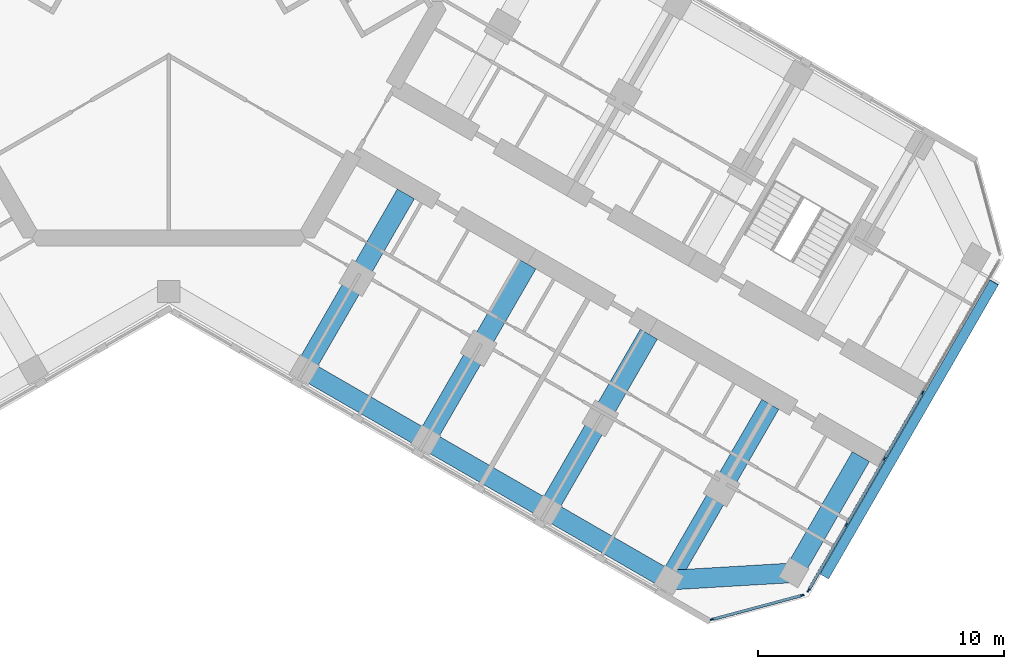
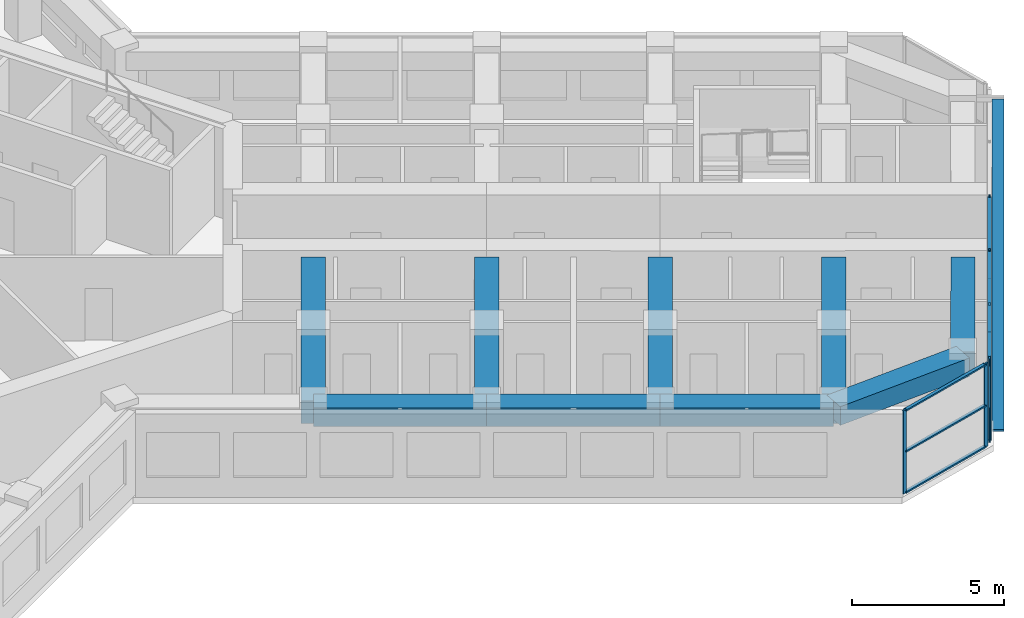
# One storey, part 4 of 16: 16 members, 9 beams, 2 elements without a shape of their own.
"""IFC4 building model written with IfcOpenShell, lengths in metres."""

from ifc_helpers import new_model, si_unit, direction, frame, origin, origin_2d, place, context, subcontext, project, spatial, rectangle, extrude, material, material_profile, profile_set, type_object, element, aggregate, save


model = new_model("IFC4")

# Units and contexts
model_context = context("Model", 3, precision=1e-05, world=origin(), true_north=direction((0.0, 1.0)))
body_context = subcontext(model_context, "Body", "Model", "MODEL_VIEW")
ifc_project = project(units=[si_unit("LENGTHUNIT", "METRE"), si_unit("AREAUNIT", "SQUARE_METRE"), si_unit("VOLUMEUNIT", "CUBIC_METRE"), si_unit("PLANEANGLEUNIT", "RADIAN"), si_unit("MASSUNIT", "GRAM", prefix="KILO")], contexts=[model_context])

# Site, building, storey
site_placement = place(None, origin())
site = spatial("IfcSite", under=ifc_project, at=site_placement, CompositionType="ELEMENT")
building_placement = place(site_placement, origin())
building = spatial("IfcBuilding", under=site, at=building_placement, Name="Kosmar Iwan School Tower", CompositionType="ELEMENT")
storey_placement = place(building_placement, frame((0.0, 0.0, 208.199951171875)))
storey = spatial("IfcBuildingStorey", under=building, at=storey_placement, Name="L52", CompositionType="ELEMENT", Elevation=208.199951171875)

# Member
ifc_material_1 = material(Name="Black anodised aluminium", Category="aluminium")
ifc_material_profile_1 = material_profile(ifc_material_1, rectangle(XDim=0.10009765625, YDim=0.39990234375, at=origin_2d()), Name="FIN 100x400")
ifc_profile_set_1 = profile_set([ifc_material_profile_1], Name="Black anodised aluminium")
member_type_1 = type_object("IfcMemberType", Name="Diagonal fin 100x400", PredefinedType="USERDEFINED", material=ifc_profile_set_1)
member_1_placement = place(storey_placement, frame((26.645263671875, -23.34912109375, -0.14990234375), z_axis=(0.483795538458, 0.837973939202, 0.252470897702), x_axis=(-0.126233699175, -0.218647221293, 0.967604488318)))
element("IfcMember", 1, at=member_1_placement, inside=storey, type_object=member_type_1, Name="Diagonal fin L52-F01", ObjectType="FIN", PredefinedType="USERDEFINED", context=body_context, shape_type="SweptSolid", body=[
    extrude(rectangle(XDim=0.10009765625, YDim=0.39990234375, at=origin_2d()), origin(), (0.0, 0.0, 1.0), 14.258544921875),
])

# Curtain wall, members
ifc_material_2 = material(Name="Dark glass in black aluminium frame", Category="aluminium")
curtain_wall_type_1 = type_object("IfcCurtainWallType", Name="Chamfer curtain wall dark glass", PredefinedType="USERDEFINED", material=ifc_material_2)
curtain_wall_1_placement = place(storey_placement, origin())
curtain_wall_1 = element("IfcCurtainWall", 2, at=curtain_wall_1_placement, inside=storey, type_object=curtain_wall_type_1, Name="Curtain wall L52-F00", ObjectType="FACETED CURTAIN WALL", PredefinedType="USERDEFINED")
ifc_material_3 = material(Name="Black anodised aluminium", Category="aluminium")
ifc_material_profile_2 = material_profile(ifc_material_3, rectangle(XDim=0.06005859375, YDim=0.159912109375, at=origin_2d()), Name="MULLION 60x160")
ifc_profile_set_2 = profile_set([ifc_material_profile_2], Name="Black anodised aluminium")
member_type_2 = type_object("IfcMemberType", Name="Mullion 60x160", PredefinedType="MULLION", material=ifc_profile_set_2)
member_2_placement = place(storey_placement, frame((22.0830078125, -25.102294921875, 0.0), z_axis=(0.0, 0.0, 1.0), x_axis=(-0.258818861462, 0.965925875495, 0.0)))
member_2 = element("IfcMember", 3, at=member_2_placement, type_object=member_type_2, Name="CW2 mullion 1", PredefinedType="MULLION", context=body_context, shape_type="SweptSolid", body=[
    extrude(rectangle(XDim=0.06005859375, YDim=0.159912109375, at=origin_2d()), origin(), (0.0, 0.0, 1.0), 3.35009765625),
])
member_3_placement = place(storey_placement, frame((25.733154296875, -24.124267578125, 0.0), z_axis=(0.0, 0.0, 1.0), x_axis=(-0.258818861462, 0.965925875495, 0.0)))
member_3 = element("IfcMember", 4, at=member_3_placement, type_object=member_type_2, Name="CW2 mullion 2", PredefinedType="MULLION", context=body_context, shape_type="SweptSolid", body=[
    extrude(rectangle(XDim=0.06005859375, YDim=0.159912109375, at=origin_2d()), origin(), (0.0, 0.0, 1.0), 3.35009765625),
])

ifc_material_4 = material(Name="Dark glass in black aluminium frame", Category="aluminium")
curtain_wall_type_2 = type_object("IfcCurtainWallType", Name="Tower curtain wall dark glass", PredefinedType="USERDEFINED", material=ifc_material_4)
curtain_wall_2_placement = place(storey_placement, origin())
curtain_wall_2 = element("IfcCurtainWall", 5, at=curtain_wall_2_placement, inside=storey, type_object=curtain_wall_type_2, Name="Curtain wall L52-F01", ObjectType="UNITISED CURTAIN WALL", PredefinedType="USERDEFINED")
member_4_placement = place(storey_placement, frame((25.9970703125, -23.921630859375, 0.0), z_axis=(0.0, 0.0, 1.0), x_axis=(-0.866025405329, 0.499999997325, 0.0)))
member_4 = element("IfcMember", 6, at=member_4_placement, type_object=member_type_2, Name="CW1 mullion 1", PredefinedType="MULLION", context=body_context, shape_type="SweptSolid", body=[
    extrude(rectangle(XDim=0.06005859375, YDim=0.159912109375, at=origin_2d()), origin(), (0.0, 0.0, 1.0), 3.35009765625),
])
member_5_placement = place(storey_placement, frame((27.53173828125, -21.263671875, 0.0), z_axis=(0.0, 0.0, 1.0), x_axis=(-0.866025405329, 0.499999997325, 0.0)))
member_5 = element("IfcMember", 7, at=member_5_placement, type_object=member_type_2, Name="CW1 mullion 2", PredefinedType="MULLION", context=body_context, shape_type="SweptSolid", body=[
    extrude(rectangle(XDim=0.06005859375, YDim=0.159912109375, at=origin_2d()), origin(), (0.0, 0.0, 1.0), 3.35009765625),
])
member_6_placement = place(storey_placement, frame((29.081298828125, -18.57958984375, 0.0), z_axis=(0.0, 0.0, 1.0), x_axis=(-0.866025405329, 0.499999997325, 0.0)))
member_6 = element("IfcMember", 8, at=member_6_placement, type_object=member_type_2, Name="CW1 mullion 3", PredefinedType="MULLION", context=body_context, shape_type="SweptSolid", body=[
    extrude(rectangle(XDim=0.06005859375, YDim=0.159912109375, at=origin_2d()), origin(), (0.0, 0.0, 1.0), 3.35009765625),
])
member_7_placement = place(storey_placement, frame((30.631103515625, -15.8955078125, 0.0), z_axis=(0.0, 0.0, 1.0), x_axis=(-0.866025405329, 0.499999997325, 0.0)))
member_7 = element("IfcMember", 9, at=member_7_placement, type_object=member_type_2, Name="CW1 mullion 4", PredefinedType="MULLION", context=body_context, shape_type="SweptSolid", body=[
    extrude(rectangle(XDim=0.06005859375, YDim=0.159912109375, at=origin_2d()), origin(), (0.0, 0.0, 1.0), 3.35009765625),
])

# Beams
ifc_material_5 = material(Name="Concrete C50/60", Category="concrete")
ifc_material_profile_3 = material_profile(ifc_material_5, rectangle(XDim=0.800048828125, YDim=0.75, at=origin_2d()), Name="RC 800x750")
ifc_profile_set_3 = profile_set([ifc_material_profile_3], Name="Concrete C50/60")
beam_type_1 = type_object("IfcBeamType", Name="RC edge beam 800x750", PredefinedType="BEAM", material=ifc_profile_set_3)
beam_1_placement = place(storey_placement, frame((5.5087890625, -14.95849609375, 2.97509765625), z_axis=(0.866033658841, -0.49998570155, 0.0), x_axis=(0.49998570155, 0.866033658841, 0.0)))
element("IfcBeam", 10, at=beam_1_placement, inside=storey, type_object=beam_type_1, Name="Edge beam CR2", PredefinedType="BEAM", context=body_context, shape_type="SweptSolid", body=[
    extrude(rectangle(XDim=0.800048828125, YDim=0.75, at=origin_2d()), origin(), (0.0, 0.0, 1.0), 5.699951171875),
])
beam_2_placement = place(storey_placement, frame((10.445068359375, -17.808349609375, 2.97509765625), z_axis=(0.866025820012, -0.499999279071, 0.0), x_axis=(0.499999279071, 0.866025820012, 0.0)))
element("IfcBeam", 11, at=beam_2_placement, inside=storey, type_object=beam_type_1, Name="Edge beam CR3", PredefinedType="BEAM", context=body_context, shape_type="SweptSolid", body=[
    extrude(rectangle(XDim=0.800048828125, YDim=0.75, at=origin_2d()), origin(), (0.0, 0.0, 1.0), 5.7001953125),
])
beam_3_placement = place(storey_placement, frame((15.381591796875, -20.658447265625, 2.97509765625), z_axis=(0.866015111908, -0.50001782563, 0.0), x_axis=(0.50001782563, 0.866015111908, 0.0)))
element("IfcBeam", 12, at=beam_3_placement, inside=storey, type_object=beam_type_1, Name="Edge beam CR4", PredefinedType="BEAM", context=body_context, shape_type="SweptSolid", body=[
    extrude(rectangle(XDim=0.800048828125, YDim=0.75, at=origin_2d()), origin(), (0.0, 0.0, 1.0), 5.699951171875),
])
ifc_material_6 = material(Name="Concrete C50/60", Category="concrete")
ifc_material_profile_4 = material_profile(ifc_material_6, rectangle(XDim=0.800048828125, YDim=0.75, at=origin_2d()), Name="RC 800x750")
ifc_profile_set_4 = profile_set([ifc_material_profile_4], Name="Concrete C50/60")
beam_type_2 = type_object("IfcBeamType", Name="RC tip beam 800x750", PredefinedType="BEAM", material=ifc_profile_set_4)
beam_4_placement = place(storey_placement, frame((20.31787109375, -23.508544921875, 2.97509765625), z_axis=(0.998260616478, 0.058955420358, 0.0), x_axis=(-0.058955420358, 0.998260616478, 0.0)))
element("IfcBeam", 13, at=beam_4_placement, inside=storey, type_object=beam_type_2, Name="Tip beam CR", PredefinedType="BEAM", context=body_context, shape_type="SweptSolid", body=[
    extrude(rectangle(XDim=0.800048828125, YDim=0.75, at=origin_2d()), origin(), (0.0, 0.0, 1.0), 5.08935546875),
])
beam_5_placement = place(storey_placement, frame((25.3984375, -23.20849609375, 2.97509765625), z_axis=(0.500022328685, 0.866012511928, 0.0), x_axis=(-0.866012511928, 0.500022328685, 0.0)))
element("IfcBeam", 14, at=beam_5_placement, inside=storey, type_object=beam_type_2, Name="Tip beam CR to corridor wall", PredefinedType="BEAM", context=body_context, shape_type="SweptSolid", body=[
    extrude(rectangle(XDim=0.800048828125, YDim=0.75, at=origin_2d()), origin(), (0.0, 0.0, 1.0), 5.449951171875),
])
ifc_material_7 = material(Name="Concrete C50/60", Category="concrete")
ifc_material_profile_5 = material_profile(ifc_material_7, rectangle(XDim=0.800048828125, YDim=0.89990234375, at=origin_2d()), Name="RC 800x900")
ifc_profile_set_5 = profile_set([ifc_material_profile_5], Name="Concrete C50/60")
beam_type_3 = type_object("IfcBeamType", Name="RC transverse beam 800x900", PredefinedType="BEAM", material=ifc_profile_set_5)
beam_6_placement = place(storey_placement, frame((5.5087890625, -14.95849609375, 2.900146484375), z_axis=(0.499996545922, 0.866027397988, 0.0), x_axis=(-0.866027397988, 0.499996545922, 0.0)))
element("IfcBeam", 15, at=beam_6_placement, inside=storey, type_object=beam_type_3, Name="Transverse beam CR1", PredefinedType="BEAM", context=body_context, shape_type="SweptSolid", body=[
    extrude(rectangle(XDim=0.800048828125, YDim=0.89990234375, at=origin_2d()), origin(), (0.0, 0.0, 1.0), 8.25),
])
beam_7_placement = place(storey_placement, frame((10.445068359375, -17.808349609375, 2.900146484375), z_axis=(0.500009360108, 0.866019999656, 0.0), x_axis=(-0.866019999656, 0.500009360108, 0.0)))
element("IfcBeam", 16, at=beam_7_placement, inside=storey, type_object=beam_type_3, Name="Transverse beam CR2", PredefinedType="BEAM", context=body_context, shape_type="SweptSolid", body=[
    extrude(rectangle(XDim=0.800048828125, YDim=0.89990234375, at=origin_2d()), origin(), (0.0, 0.0, 1.0), 8.249755859375),
])
for number, where, z_axis, x_axis, name in (
    (17, (15.381591796875, -20.658447265625, 2.900146484375), (0.499996545922, 0.866027397988, 0.0), (-0.866027397988, 0.499996545922, 0.0), "Transverse beam CR3"),
    (18, (20.31787109375, -23.508544921875, 2.900146484375), (0.499996545922, 0.866027397988, 0.0), (-0.866027397988, 0.499996545922, 0.0), "Transverse beam CR4"),
):
    element("IfcBeam", number, at=place(storey_placement, frame(where, z_axis=z_axis, x_axis=x_axis)), inside=storey, type_object=beam_type_3, Name=name, PredefinedType="BEAM", context=body_context, shape_type="SweptSolid", body=[
        extrude(rectangle(XDim=0.800048828125, YDim=0.89990234375, at=origin_2d()), origin(), (0.0, 0.0, 1.0), 8.25),
    ])

# Member
ifc_material_8 = material(Name="Black anodised aluminium", Category="aluminium")
ifc_material_profile_6 = material_profile(ifc_material_8, rectangle(XDim=0.1201171875, YDim=0.06005859375, at=origin_2d()), Name="TRANSOM 60x120")
ifc_profile_set_6 = profile_set([ifc_material_profile_6], Name="Black anodised aluminium")
member_type_3 = type_object("IfcMemberType", Name="Transom 60x120", PredefinedType="USERDEFINED", material=ifc_profile_set_6)
member_8_placement = place(storey_placement, frame((22.11181640625, -25.094482421875, 0.030029296875), z_axis=(0.965923731726, 0.258826861991, 0.0), x_axis=(-0.258826861991, 0.965923731726, 0.0)))
member_8 = element("IfcMember", 19, at=member_8_placement, type_object=member_type_3, Name="CW2 transom 1.1", ObjectType="TRANSOM", PredefinedType="USERDEFINED", context=body_context, shape_type="SweptSolid", body=[
    extrude(rectangle(XDim=0.1201171875, YDim=0.06005859375, at=origin_2d()), origin(), (0.0, 0.0, 1.0), 3.71923828125),
])

member_9_placement = place(storey_placement, frame((22.11181640625, -25.094482421875, 1.675048828125), z_axis=(0.965923731726, 0.258826861991, 0.0), x_axis=(-0.258826861991, 0.965923731726, 0.0)))
member_9 = element("IfcMember", 20, at=member_9_placement, type_object=member_type_3, Name="CW2 transom 1.2", ObjectType="TRANSOM", PredefinedType="USERDEFINED", context=body_context, shape_type="SweptSolid", body=[
    extrude(rectangle(XDim=0.1201171875, YDim=0.06005859375, at=origin_2d()), origin(), (0.0, 0.0, 1.0), 3.71923828125),
])

member_10_placement = place(storey_placement, frame((22.11181640625, -25.094482421875, 3.320068359375), z_axis=(0.965923731726, 0.258826861991, 0.0), x_axis=(-0.258826861991, 0.965923731726, 0.0)))
member_10 = element("IfcMember", 21, at=member_10_placement, type_object=member_type_3, Name="CW2 transom 1.3", ObjectType="TRANSOM", PredefinedType="USERDEFINED", context=body_context, shape_type="SweptSolid", body=[
    extrude(rectangle(XDim=0.1201171875, YDim=0.06005859375, at=origin_2d()), origin(), (0.0, 0.0, 1.0), 3.71923828125),
])

aggregate(curtain_wall_1, [member_2, member_3, member_8, member_9, member_10])

member_11_placement = place(storey_placement, frame((26.01220703125, -23.895751953125, 0.030029296875), z_axis=(0.499986971506, 0.866032925658, 0.0), x_axis=(-0.866032925658, 0.499986971506, 0.0)))
member_11 = element("IfcMember", 22, at=member_11_placement, type_object=member_type_3, Name="CW1 transom 1.1", ObjectType="TRANSOM", PredefinedType="USERDEFINED", context=body_context, shape_type="SweptSolid", body=[
    extrude(rectangle(XDim=0.1201171875, YDim=0.06005859375, at=origin_2d()), origin(), (0.0, 0.0, 1.0), 3.00927734375),
])

member_12_placement = place(storey_placement, frame((26.01220703125, -23.895751953125, 3.320068359375), z_axis=(0.499986971506, 0.866032925658, 0.0), x_axis=(-0.866032925658, 0.499986971506, 0.0)))
member_12 = element("IfcMember", 23, at=member_12_placement, type_object=member_type_3, Name="CW1 transom 1.2", ObjectType="TRANSOM", PredefinedType="USERDEFINED", context=body_context, shape_type="SweptSolid", body=[
    extrude(rectangle(XDim=0.1201171875, YDim=0.06005859375, at=origin_2d()), origin(), (0.0, 0.0, 1.0), 3.00927734375),
])

member_13_placement = place(storey_placement, frame((27.546875, -21.237548828125, 0.030029296875), z_axis=(0.499975102327, 0.866039777986, 0.0), x_axis=(-0.866039777986, 0.499975102327, 0.0)))
member_13 = element("IfcMember", 24, at=member_13_placement, type_object=member_type_3, Name="CW1 transom 2.1", ObjectType="TRANSOM", PredefinedType="USERDEFINED", context=body_context, shape_type="SweptSolid", body=[
    extrude(rectangle(XDim=0.1201171875, YDim=0.06005859375, at=origin_2d()), origin(), (0.0, 0.0, 1.0), 3.039306640625),
])

member_14_placement = place(storey_placement, frame((27.546875, -21.237548828125, 3.320068359375), z_axis=(0.499975102327, 0.866039777986, 0.0), x_axis=(-0.866039777986, 0.499975102327, 0.0)))
member_14 = element("IfcMember", 25, at=member_14_placement, type_object=member_type_3, Name="CW1 transom 2.2", ObjectType="TRANSOM", PredefinedType="USERDEFINED", context=body_context, shape_type="SweptSolid", body=[
    extrude(rectangle(XDim=0.1201171875, YDim=0.06005859375, at=origin_2d()), origin(), (0.0, 0.0, 1.0), 3.039306640625),
])

member_15_placement = place(storey_placement, frame((29.096435546875, -18.553466796875, 0.030029296875), z_axis=(0.499975102327, 0.866039777986, 0.0), x_axis=(-0.866039777986, 0.499975102327, 0.0)))
member_15 = element("IfcMember", 26, at=member_15_placement, type_object=member_type_3, Name="CW1 transom 3.1", ObjectType="TRANSOM", PredefinedType="USERDEFINED", context=body_context, shape_type="SweptSolid", body=[
    extrude(rectangle(XDim=0.1201171875, YDim=0.06005859375, at=origin_2d()), origin(), (0.0, 0.0, 1.0), 3.039306640625),
])

member_16_placement = place(storey_placement, frame((29.096435546875, -18.553466796875, 3.320068359375), z_axis=(0.499975102327, 0.866039777986, 0.0), x_axis=(-0.866039777986, 0.499975102327, 0.0)))
member_16 = element("IfcMember", 27, at=member_16_placement, type_object=member_type_3, Name="CW1 transom 3.2", ObjectType="TRANSOM", PredefinedType="USERDEFINED", context=body_context, shape_type="SweptSolid", body=[
    extrude(rectangle(XDim=0.1201171875, YDim=0.06005859375, at=origin_2d()), origin(), (0.0, 0.0, 1.0), 3.039306640625),
])

aggregate(curtain_wall_2, [member_4, member_5, member_6, member_7, member_11, member_12, member_13, member_14, member_15, member_16])

save(model, "model.ifc")
